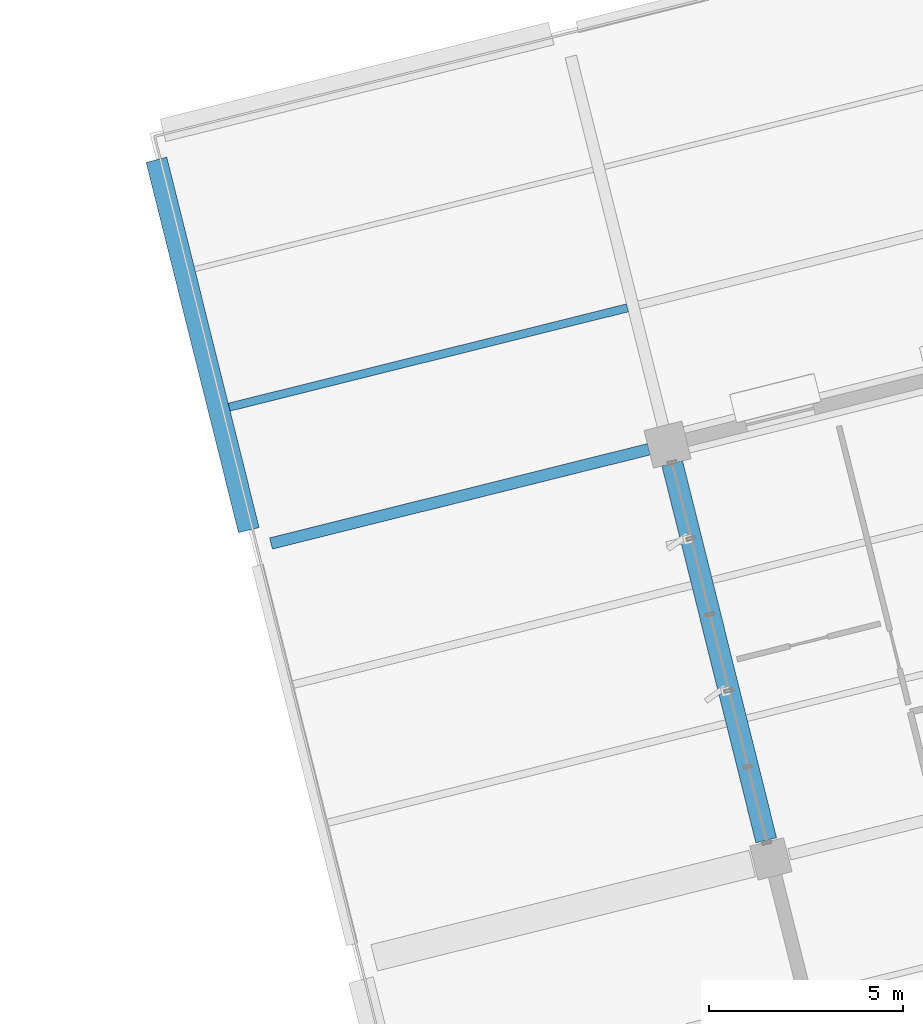
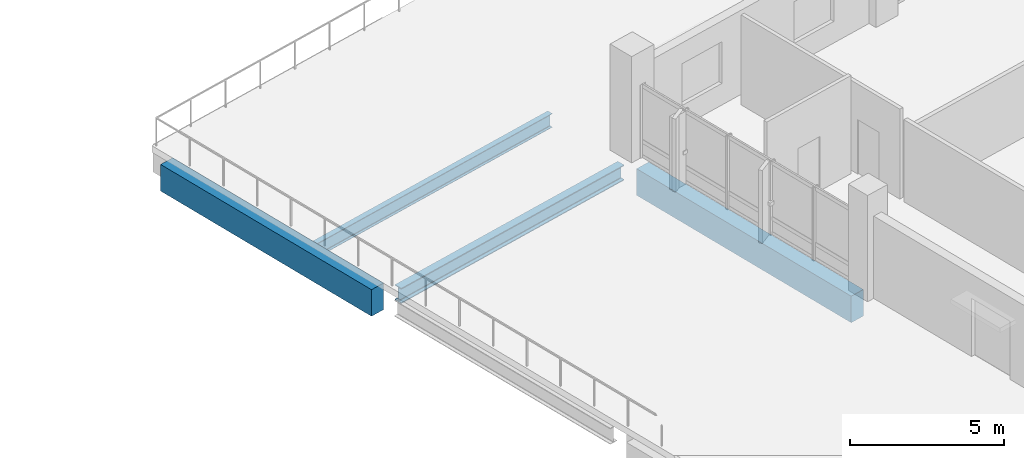
# One storey, part 15 of 42: 4 beams.
"""IFC4 building model written with IfcOpenShell, lengths in metres."""

from ifc_helpers import new_model, si_unit, direction, frame, origin, origin_2d, place, context, subcontext, project, spatial, rectangle, i_section, extrude, material, material_profile, profile_set, type_object, element, save


model = new_model("IFC4")

# Units and contexts
model_context = context("Model", 3, precision=1e-05, world=origin(), true_north=direction((0.0, 1.0)))
body_context = subcontext(model_context, "Body", "Model", "MODEL_VIEW")
ifc_project = project(units=[si_unit("LENGTHUNIT", "METRE"), si_unit("AREAUNIT", "SQUARE_METRE"), si_unit("VOLUMEUNIT", "CUBIC_METRE"), si_unit("PLANEANGLEUNIT", "RADIAN"), si_unit("MASSUNIT", "GRAM", prefix="KILO")], contexts=[model_context])

# Site, building, storey
site_placement = place(None, origin())
site = spatial("IfcSite", under=ifc_project, at=site_placement, CompositionType="ELEMENT")
building_placement = place(site_placement, origin())
building = spatial("IfcBuilding", under=site, at=building_placement, Name="Khorjan Park Terminus", CompositionType="ELEMENT")
storey_placement = place(building_placement, frame((0.0, 0.0, 20.4)))
storey = spatial("IfcBuildingStorey", under=building, at=storey_placement, Name="L04", CompositionType="ELEMENT", Elevation=20.4)

# Beams
ifc_material_1 = material(Name="Steel S355", Category="steel")
ifc_material_profile_1 = material_profile(ifc_material_1, i_section(OverallWidth=0.3, OverallDepth=0.6, WebThickness=0.0155, FlangeThickness=0.03, FilletRadius=0.027, at=origin_2d()), Name="HEB 600")
ifc_profile_set_1 = profile_set([ifc_material_profile_1], Name="Steel S355")
beam_type_1 = type_object("IfcBeamType", Name="BM-HEB600", PredefinedType="BEAM", material=ifc_profile_set_1)
beam_1_placement = place(storey_placement, frame((185.1701, 63.4634, -0.56), z_axis=(0.970295301267, 0.24192360021, 0.0), x_axis=(-0.24192360021, 0.970295301267, 0.0)))
element("IfcBeam", 1, at=beam_1_placement, inside=storey, type_object=beam_type_1, Name="Primary skew-grid floor girder SB-B60 (L04)", PredefinedType="BEAM", context=body_context, shape_type="SweptSolid", body=[
    extrude(i_section(OverallWidth=0.3, OverallDepth=0.6, WebThickness=0.0155, FlangeThickness=0.03, FilletRadius=0.027, at=origin_2d()), origin(), (0.0, 0.0, 1.0), 10.035),
])
ifc_material_2 = material(Name="Concrete C40/50", Category="concrete")
ifc_material_profile_2 = material_profile(ifc_material_2, rectangle(XDim=0.55, YDim=1.05, at=origin_2d()), Name="RC 550x1050")
ifc_profile_set_2 = profile_set([ifc_material_profile_2], Name="Concrete C40/50")
beam_type_2 = type_object("IfcBeamType", Name="BM-RC550x1050", PredefinedType="BEAM", material=ifc_profile_set_2)
beam_2_placement = place(storey_placement, frame((184.6004, 63.8057, -0.785), z_axis=(-0.241930300515, 0.970293630657, 0.0), x_axis=(-0.970293630657, -0.241930300515, 0.0)))
element("IfcBeam", 2, at=beam_2_placement, inside=storey, type_object=beam_type_2, Name="Primary skew-grid floor girder GB-105 (L04)", PredefinedType="BEAM", context=body_context, shape_type="SweptSolid", body=[
    extrude(rectangle(XDim=0.55, YDim=1.05, at=origin_2d()), origin(), (0.0, 0.0, 1.0), 9.8351),
])
beam_3_placement = place(storey_placement, frame((197.9287, 55.8179, -0.865), z_axis=(-0.24191971727, 0.970296269392, 0.0), x_axis=(-0.970296269392, -0.24191971727, 0.0)))
element("IfcBeam", 3, at=beam_3_placement, inside=storey, type_object=beam_type_2, Name="Primary skew-grid floor girder GB-105 (L04)", PredefinedType="BEAM", context=body_context, shape_type="SweptSolid", body=[
    extrude(rectangle(XDim=0.55, YDim=1.05, at=origin_2d()), origin(), (0.0, 0.0, 1.0), 10.0099),
])
ifc_material_profile_3 = material_profile(ifc_material_1, i_section(OverallWidth=0.21, OverallDepth=0.55, WebThickness=0.0111, FlangeThickness=0.0172, FilletRadius=0.024, at=origin_2d()), Name="IPE 550")
ifc_profile_set_3 = profile_set([ifc_material_profile_3], Name="Steel S355")
beam_type_3 = type_object("IfcBeamType", Name="JS-IPE550", PredefinedType="JOIST", material=ifc_profile_set_3)
beam_4_placement = place(storey_placement, frame((184.0938, 66.974, -0.535), z_axis=(0.970296385626, 0.241919251074, 0.0), x_axis=(-0.241919251074, 0.970296385626, 0.0)))
element("IfcBeam", 4, at=beam_4_placement, inside=storey, type_object=beam_type_3, Name="Secondary composite floor joist SJ-55 (L04)", PredefinedType="JOIST", context=body_context, shape_type="SweptSolid", body=[
    extrude(i_section(OverallWidth=0.21, OverallDepth=0.55, WebThickness=0.0111, FlangeThickness=0.0172, FilletRadius=0.024, at=origin_2d()), origin(), (0.0, 0.0, 1.0), 10.575),
])

save(model, "model.ifc")
